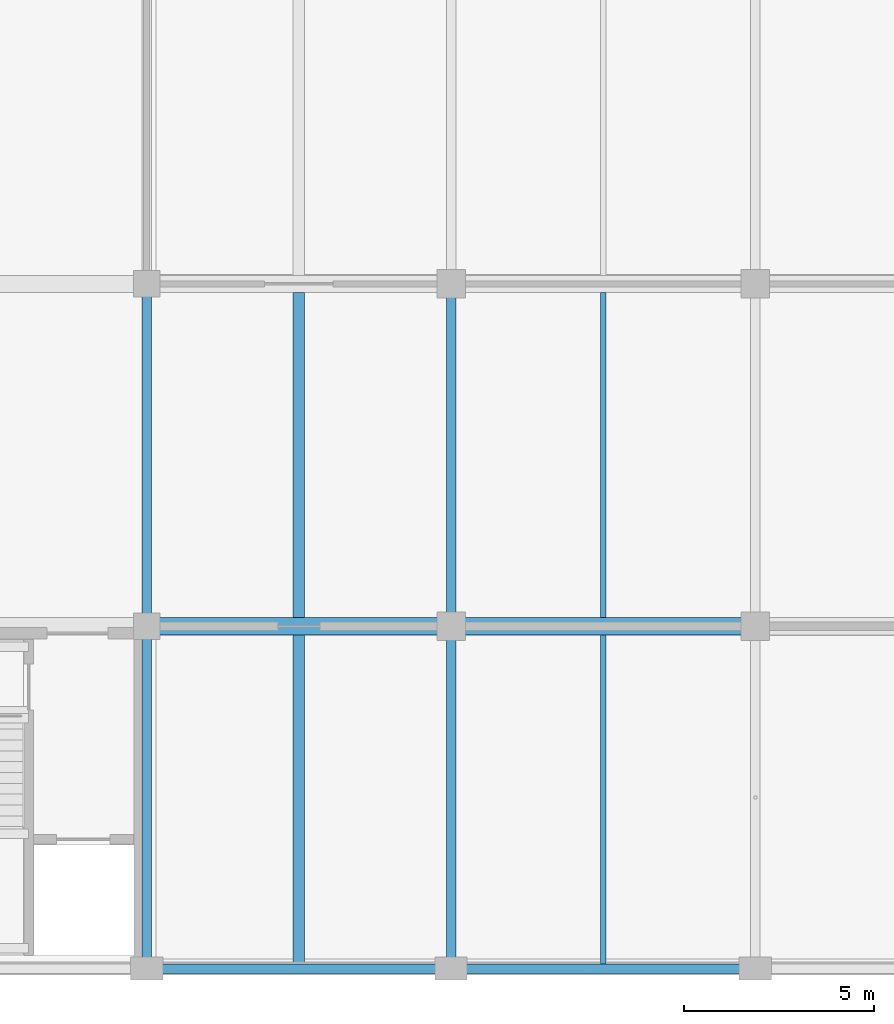
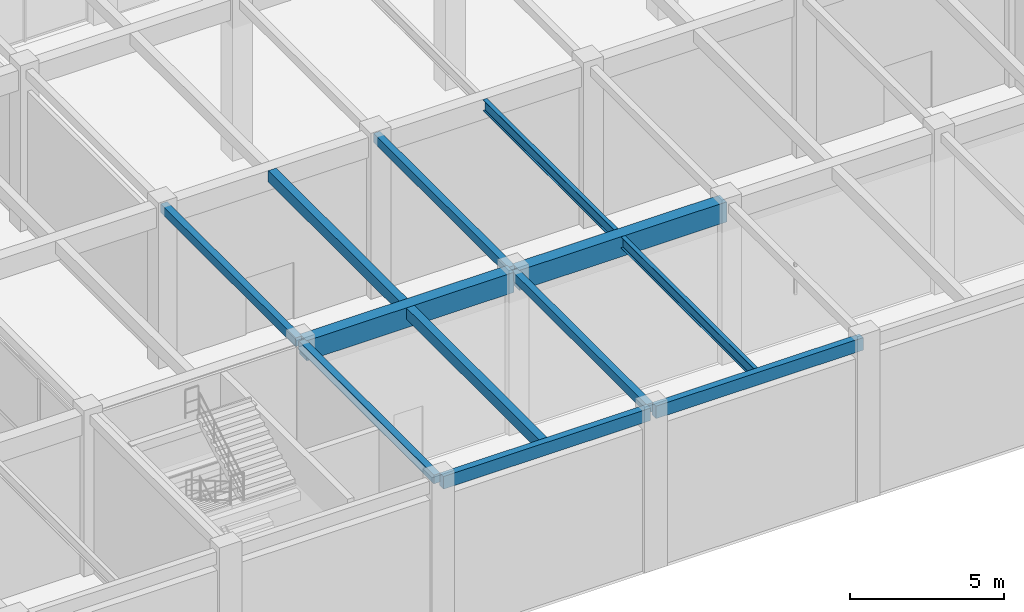
# One storey, part 95 of 163: 12 beams.
"""IFC4 building model written with IfcOpenShell, lengths in metres."""

from ifc_helpers import new_model, si_unit, direction, frame, origin, origin_2d, place, context, subcontext, project, spatial, rectangle, i_section, extrude, material, material_profile, profile_set, type_object, element, save


model = new_model("IFC4")

# Units and contexts
model_context = context("Model", 3, precision=1e-05, world=origin(), true_north=direction((0.0, 1.0)))
body_context = subcontext(model_context, "Body", "Model", "MODEL_VIEW")
ifc_project = project(units=[si_unit("LENGTHUNIT", "METRE"), si_unit("AREAUNIT", "SQUARE_METRE"), si_unit("VOLUMEUNIT", "CUBIC_METRE"), si_unit("PLANEANGLEUNIT", "RADIAN"), si_unit("MASSUNIT", "GRAM", prefix="KILO")], contexts=[model_context])

# Site, building, storey
site_placement = place(None, origin())
site = spatial("IfcSite", under=ifc_project, at=site_placement, CompositionType="ELEMENT")
building_placement = place(site_placement, origin())
building = spatial("IfcBuilding", under=site, at=building_placement, Name="Varnabhumi Central Station", CompositionType="ELEMENT")
storey_placement = place(building_placement, frame((0.0, 0.0, 9.60009765625)))
storey = spatial("IfcBuildingStorey", under=building, at=storey_placement, Name="L02", CompositionType="ELEMENT", Elevation=9.60009765625)

# Beams
ifc_material_1 = material(Name="Structural steel E350", Category="steel")
ifc_material_profile_1 = material_profile(ifc_material_1, i_section(OverallWidth=0.14990234375, OverallDepth=0.449951171875, WebThickness=0.009521484375, FlangeThickness=0.017333984375, FilletRadius=0.014892578125, at=origin_2d()), Name="Structural steel E350", Category="steel")
ifc_profile_set_1 = profile_set([ifc_material_profile_1], Name="Structural steel E350")
beam_type_1 = type_object("IfcBeamType", Name="BM-JST-ISMB450", PredefinedType="JOIST", material=ifc_profile_set_1)
beam_1_placement = place(storey_placement, frame((164.0, 0.125, 6.125), z_axis=(0.0, 1.0, 0.0), x_axis=(-1.0, 0.0, 0.0)))
element("IfcBeam", 1, at=beam_1_placement, inside=storey, type_object=beam_type_1, Name="Secondary Joist L02-21/22:A-B", PredefinedType="JOIST", context=body_context, shape_type="SweptSolid", body=[
    extrude(i_section(OverallWidth=0.14990234375, OverallDepth=0.449951171875, WebThickness=0.009521484375, FlangeThickness=0.017333984375, FilletRadius=0.014892578125, at=origin_2d()), origin(), (0.0, 0.0, 1.0), 8.64990234375),
])
beam_2_placement = place(storey_placement, frame((164.0, 9.22509765625, 6.125), z_axis=(0.0, 1.0, 0.0), x_axis=(-1.0, 0.0, 0.0)))
element("IfcBeam", 2, at=beam_2_placement, inside=storey, type_object=beam_type_1, Name="Secondary Joist L02-21/22:B-C", PredefinedType="JOIST", context=body_context, shape_type="SweptSolid", body=[
    extrude(i_section(OverallWidth=0.14990234375, OverallDepth=0.449951171875, WebThickness=0.009521484375, FlangeThickness=0.017333984375, FilletRadius=0.014892578125, at=origin_2d()), origin(), (0.0, 0.0, 1.0), 8.5498046875),
])
ifc_material_2 = material(Name="Concrete M35", Category="concrete")
ifc_material_profile_2 = material_profile(ifc_material_2, rectangle(XDim=0.25, YDim=0.35009765625, at=origin_2d()), Name="Concrete M35", Category="concrete")
ifc_profile_set_2 = profile_set([ifc_material_profile_2], Name="Concrete M35")
beam_type_2 = type_object("IfcBeamType", Name="BM-RC-250x350", PredefinedType="LINTEL", material=ifc_profile_set_2)
for number, where, z_axis, x_axis, name in (
    (3, (152.0, 0.10009765625, 6.1748046875), (0.0, 1.0, 0.0), (-1.0, 0.0, 0.0), "Beam L02-20:A-B"),
    (4, (160.0, 0.10009765625, 6.1748046875), (0.0, 1.0, 0.0), (-1.0, 0.0, 0.0), "Beam L02-21:A-B"),
    (5, (152.0, 9.10009765625, 6.1748046875), (0.0, 1.0, 0.0), (-1.0, 0.0, 0.0), "Beam L02-20:B-C"),
    (6, (160.0, 9.10009765625, 6.1748046875), (0.0, 1.0, 0.0), (-1.0, 0.0, 0.0), "Beam L02-21:B-C"),
):
    element("IfcBeam", number, at=place(storey_placement, frame(where, z_axis=z_axis, x_axis=x_axis)), inside=storey, type_object=beam_type_2, Name=name, PredefinedType="LINTEL", context=body_context, shape_type="SweptSolid", body=[
        extrude(rectangle(XDim=0.25, YDim=0.35009765625, at=origin_2d()), origin(), (0.0, 0.0, 1.0), 8.7998046875),
    ])
ifc_material_3 = material(Name="Concrete M40", Category="concrete")
ifc_material_profile_3 = material_profile(ifc_material_3, rectangle(XDim=0.25, YDim=0.5, at=origin_2d()), Name="Concrete M40", Category="concrete")
ifc_profile_set_3 = profile_set([ifc_material_profile_3], Name="Concrete M40")
beam_type_3 = type_object("IfcBeamType", Name="BM-RC-250x500", PredefinedType="SPANDREL", material=ifc_profile_set_3)
for number, where, z_axis, x_axis, name in (
    (7, (152.10009765625, 0.0, 6.099853515625), (1.0, 0.0, 0.0), (0.0, 1.0, 0.0), "Beam L02-A:20-21"),
    (8, (160.10009765625, 0.0, 6.099853515625), (1.0, 0.0, 0.0), (0.0, 1.0, 0.0), "Beam L02-A:21-22"),
):
    element("IfcBeam", number, at=place(storey_placement, frame(where, z_axis=z_axis, x_axis=x_axis)), inside=storey, type_object=beam_type_3, Name=name, PredefinedType="SPANDREL", context=body_context, shape_type="SweptSolid", body=[
        extrude(rectangle(XDim=0.25, YDim=0.5, at=origin_2d()), origin(), (0.0, 0.0, 1.0), 7.7998046875),
    ])
ifc_material_profile_4 = material_profile(ifc_material_3, rectangle(XDim=0.300048828125, YDim=0.449951171875, at=origin_2d()), Name="Concrete M40", Category="concrete")
ifc_profile_set_4 = profile_set([ifc_material_profile_4], Name="Concrete M40")
beam_type_4 = type_object("IfcBeamType", Name="BM-RC-300x450", PredefinedType="JOIST", material=ifc_profile_set_4)
beam_3_placement = place(storey_placement, frame((156.0, 0.125, 6.125), z_axis=(0.0, 1.0, 0.0), x_axis=(-1.0, 0.0, 0.0)))
element("IfcBeam", 9, at=beam_3_placement, inside=storey, type_object=beam_type_4, Name="Secondary Joist L02-20/21:A-B", PredefinedType="JOIST", context=body_context, shape_type="SweptSolid", body=[
    extrude(rectangle(XDim=0.300048828125, YDim=0.449951171875, at=origin_2d()), origin(), (0.0, 0.0, 1.0), 8.64990234375),
])
beam_4_placement = place(storey_placement, frame((156.0, 9.22509765625, 6.125), z_axis=(0.0, 1.0, 0.0), x_axis=(-1.0, 0.0, 0.0)))
element("IfcBeam", 10, at=beam_4_placement, inside=storey, type_object=beam_type_4, Name="Secondary Joist L02-20/21:B-C", PredefinedType="JOIST", context=body_context, shape_type="SweptSolid", body=[
    extrude(rectangle(XDim=0.300048828125, YDim=0.449951171875, at=origin_2d()), origin(), (0.0, 0.0, 1.0), 8.5498046875),
])
ifc_material_profile_5 = material_profile(ifc_material_3, rectangle(XDim=0.449951171875, YDim=0.800048828125, at=origin_2d()), Name="Concrete M40", Category="concrete")
ifc_profile_set_5 = profile_set([ifc_material_profile_5], Name="Concrete M40")
beam_type_5 = type_object("IfcBeamType", Name="BM-RC-450x800", PredefinedType="BEAM", material=ifc_profile_set_5)
for number, where, z_axis, x_axis, name in (
    (11, (152.10009765625, 9.0, 5.949951171875), (1.0, 0.0, 0.0), (0.0, 1.0, 0.0), "Beam L02-B:20-21"),
    (12, (160.10009765625, 9.0, 5.949951171875), (1.0, 0.0, 0.0), (0.0, 1.0, 0.0), "Beam L02-B:21-22"),
):
    element("IfcBeam", number, at=place(storey_placement, frame(where, z_axis=z_axis, x_axis=x_axis)), inside=storey, type_object=beam_type_5, Name=name, PredefinedType="BEAM", context=body_context, shape_type="SweptSolid", body=[
        extrude(rectangle(XDim=0.449951171875, YDim=0.800048828125, at=origin_2d()), origin(), (0.0, 0.0, 1.0), 7.7998046875),
    ])

save(model, "model.ifc")
